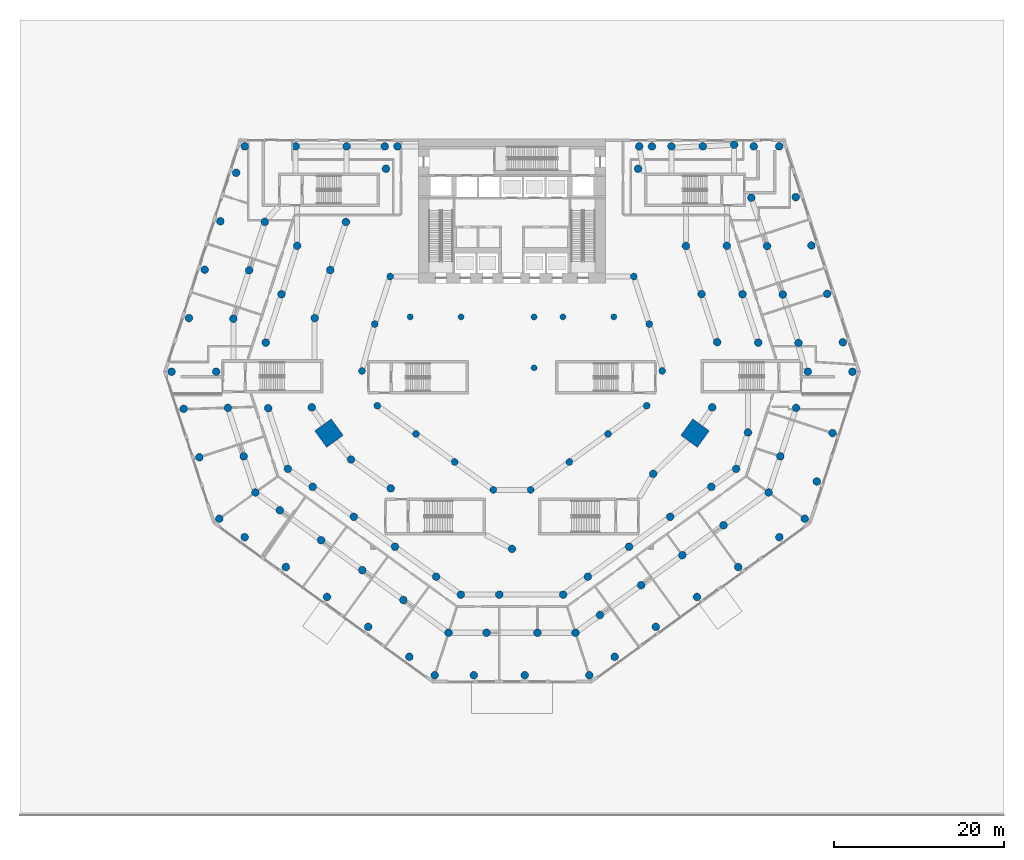
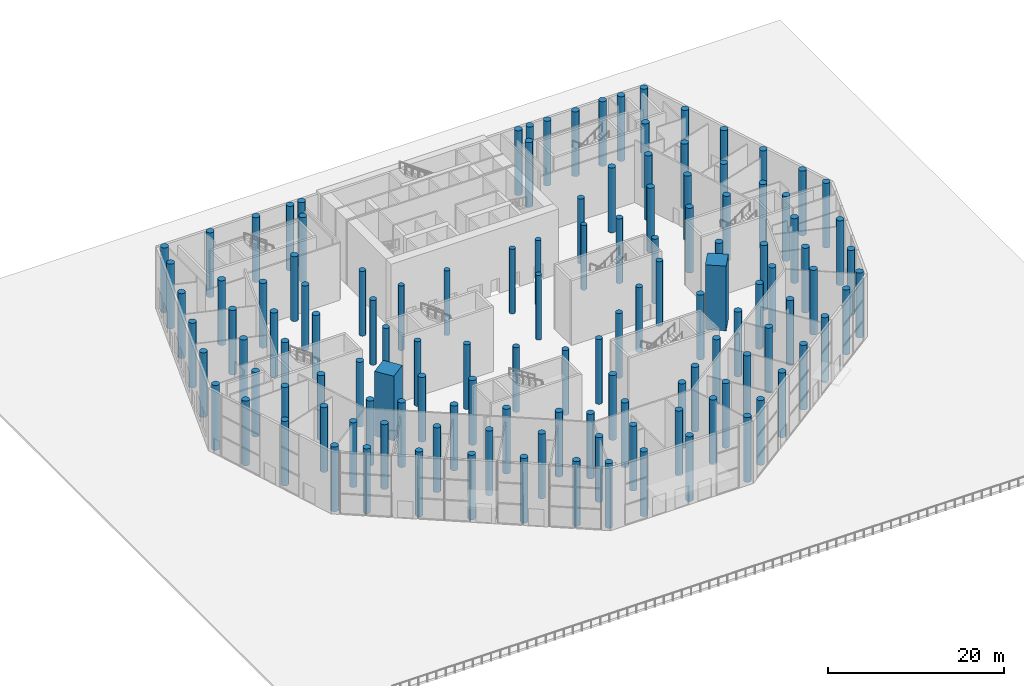
# One storey, part 1 of 25: 126 columns.
"""IFC4 building model written with IfcOpenShell, lengths in metres."""

import ifcopenshell
import ifcopenshell.guid

model = None  # the IFC model being written
_history = None  # IfcOwnerHistory: only IFC2X3 demands one
_inside = {}  # id of a spatial element -> (the spatial element, [elements in it])
_under = {}  # id of a project, library or spatial element -> (it, [spatial elements below it])
_declared = {}  # id of a project -> (the project, [libraries it declares])
_typed = {}  # id of a type object -> (the type object, [elements of that type])
_made_of = {}  # id of a material, layer set ... -> (it, [elements and type objects made of it])


def new_model(schema):
    """Start an empty IFC model of exactly this schema.

    Asked for "IFC4X3", IfcOpenShell would pick the latest addendum, in which some entities
    have other attributes; the version numbers below select the first issue.
    IFC2X3 requires an IfcOwnerHistory on every rooted entity: one is made here for all.
    """
    global model, _history
    if schema == "IFC4X3":
        model = ifcopenshell.file(schema_version=(4, 3, 0, 0))
    else:
        model = ifcopenshell.file(schema=schema)
    _inside.clear()
    _under.clear()
    _declared.clear()
    _typed.clear()
    _made_of.clear()
    _history = None
    if model.schema == "IFC2X3":
        org = make("IfcOrganization", Name="unknown")
        user = make(
            "IfcPersonAndOrganization",
            ThePerson=make("IfcPerson", FamilyName="unknown"),
            TheOrganization=org,
        )
        app = make(
            "IfcApplication",
            ApplicationDeveloper=org,
            Version="unknown",
            ApplicationFullName="unknown",
            ApplicationIdentifier="unknown",
        )
        _history = make(
            "IfcOwnerHistory",
            OwningUser=user,
            OwningApplication=app,
            ChangeAction="ADDED",
            CreationDate=0,
        )
    return model


def make(cls, **values):
    """One entity of the class cls with the attributes given. An attribute that is None is left unset."""
    return model.create_entity(
        cls, **{name: value for name, value in values.items() if value is not None}
    )


def rooted(cls, **values):
    """An entity with a GlobalId (a new one), such as an element, a storey or a relation."""
    return make(cls, GlobalId=ifcopenshell.guid.new(), OwnerHistory=_history, **values)


def si_unit(unit_type, name, prefix=None):
    """IfcSIUnit, for example si_unit("LENGTHUNIT", "METRE", prefix="MILLI")."""
    return make("IfcSIUnit", UnitType=unit_type, Prefix=prefix, Name=name)


def assignment(units):
    """IfcUnitAssignment: the units of a project."""
    return None if units is None else make("IfcUnitAssignment", Units=units)


def point(xyz):
    """IfcCartesianPoint."""
    return None if xyz is None else make("IfcCartesianPoint", Coordinates=xyz)


def direction(xyz):
    """IfcDirection."""
    return None if xyz is None else make("IfcDirection", DirectionRatios=xyz)


def frame(location, z_axis=None, x_axis=None):
    """IfcAxis2Placement3D, a coordinate frame: its origin and axes. An axis left out is left unset."""
    return make(
        "IfcAxis2Placement3D",
        Location=point(location),
        Axis=direction(z_axis),
        RefDirection=direction(x_axis),
    )


def frame_2d(location, x_axis=None):
    """IfcAxis2Placement2D, a coordinate frame in the plane: its origin and x axis."""
    return make(
        "IfcAxis2Placement2D", Location=point(location), RefDirection=direction(x_axis)
    )


def origin():
    """The frame at (0, 0, 0) with its axes left unset."""
    return frame((0.0, 0.0, 0.0))


def origin_2d():
    """The frame at (0, 0) in the plane with its x axis left unset."""
    return frame_2d((0.0, 0.0))


def place(relative_to, where):
    """IfcLocalPlacement: puts the frame where relative to a parent placement (None: the world)."""
    return make(
        "IfcLocalPlacement", PlacementRelTo=relative_to, RelativePlacement=where
    )


def context(
    kind, dimensions, precision=None, world=None, true_north=None, identifier=None
):
    """IfcGeometricRepresentationContext, for example the 3D "Model" context."""
    return make(
        "IfcGeometricRepresentationContext",
        ContextIdentifier=identifier,
        ContextType=kind,
        CoordinateSpaceDimension=dimensions,
        Precision=precision,
        WorldCoordinateSystem=world,
        TrueNorth=true_north,
    )


def subcontext(parent, identifier, kind, view, scale=None):
    """IfcGeometricRepresentationSubContext, for example "Body" below "Model"."""
    return make(
        "IfcGeometricRepresentationSubContext",
        ContextIdentifier=identifier,
        ContextType=kind,
        ParentContext=parent,
        TargetScale=scale,
        TargetView=view,
    )


def project(units=None, contexts=None):
    """IfcProject with its units and contexts."""
    return rooted(
        "IfcProject",
        Name="project",
        RepresentationContexts=contexts,
        UnitsInContext=assignment(units),
    )


def spatial(cls, under=None, at=None, **own):
    """A site, building, storey or space (cls), placed at a placement, below another one or the project."""
    s = rooted(cls, ObjectPlacement=at, **own)
    if under is not None:
        _under.setdefault(under.id(), (under, []))[1].append(s)
    return s


def profile(cls, at=None, kind="AREA", **sizes):
    """A parametric profile (cls). Its sizes go by their IFC names, for example OverallWidth=200.0."""
    return make(cls, ProfileType=kind, Position=at, **sizes)


def rectangle(**sizes):
    """IfcRectangleProfileDef."""
    return profile("IfcRectangleProfileDef", **sizes)


def circle(**sizes):
    """IfcCircleProfileDef."""
    return profile("IfcCircleProfileDef", **sizes)


def extrude(swept, where, along, depth):
    """IfcExtrudedAreaSolid: the profile swept, set in the frame where, extruded along a direction by depth."""
    return make(
        "IfcExtrudedAreaSolid",
        SweptArea=swept,
        Position=where,
        ExtrudedDirection=direction(along),
        Depth=depth,
    )


def shape(context_of_items, identifier, shape_type, items):
    """IfcShapeRepresentation: the items that make up one representation, for example the "Body"."""
    return make(
        "IfcShapeRepresentation",
        ContextOfItems=context_of_items,
        RepresentationIdentifier=identifier,
        RepresentationType=shape_type,
        Items=items,
    )


def material(Name=None, Category=None):
    """IfcMaterial."""
    return make("IfcMaterial", Name=Name, Category=Category)


def material_profile(
    of_material, cross_section, Name=None, Category=None, Priority=None
):
    """IfcMaterialProfile: a cross section and its material."""
    return make(
        "IfcMaterialProfile",
        Name=Name,
        Material=of_material,
        Profile=cross_section,
        Priority=Priority,
        Category=Category,
    )


def profile_set(profiles, Name=None, composite=None):
    """IfcMaterialProfileSet."""
    return make(
        "IfcMaterialProfileSet",
        Name=Name,
        MaterialProfiles=profiles,
        CompositeProfile=composite,
    )


def made_of(thing, what):
    """Note that an element or type object is made of a material, layer set ...; save() writes the relation."""
    if what is not None:
        _made_of.setdefault(what.id(), (what, []))[1].append(thing)
    return thing


def type_object(cls, material=None, **own):
    """A type object (cls), such as IfcWallType, which elements share."""
    return made_of(rooted(cls, **own), material)


def element(
    cls,
    number,
    at=None,
    inside=None,
    cuts=None,
    type_object=None,
    material=None,
    context=None,
    identifier="Body",
    shape_type=None,
    held_by="IfcProductDefinitionShape",
    body=None,
    shapes=None,
    **own,
):
    """One element of the class cls, such as IfcWall. Its Tag is "e" and its number.

    at: its placement. inside: the storey or other place that contains it. cuts: it is an
    opening in that element (IfcRelVoidsElement). A single representation is given by context,
    identifier, shape_type and body (its items); several are given by shapes. held_by: the class
    of the entity that holds the representations. save() writes the other relations.
    """
    e = rooted(cls, Tag="e%d" % number, ObjectPlacement=at, **own)
    if body is not None:
        shapes = [shape(context, identifier, shape_type, body)]
    if shapes is not None:
        e.Representation = make(held_by, Representations=shapes)
    if inside is not None:
        _inside.setdefault(inside.id(), (inside, []))[1].append(e)
    if cuts is not None:
        rooted(
            "IfcRelVoidsElement", RelatingBuildingElement=cuts, RelatedOpeningElement=e
        )
    if type_object is not None:
        _typed.setdefault(type_object.id(), (type_object, []))[1].append(e)
    return made_of(e, material)


def aggregate(whole, parts):
    """IfcRelAggregates: a whole, such as a stair, and the parts it consists of."""
    return rooted("IfcRelAggregates", RelatingObject=whole, RelatedObjects=parts)


def save(model, path):
    """Write the relations noted so far, then the file.

    IfcRelAggregates (storeys below a building ...), IfcRelContainedInSpatialStructure (elements
    in a storey), IfcRelDefinesByType, IfcRelAssociatesMaterial and IfcRelDeclares: one each for
    every whole, place, type object, material and project.
    """
    for whole, parts in _under.values():
        aggregate(whole, parts)
    for where, things in _inside.values():
        rooted(
            "IfcRelContainedInSpatialStructure",
            RelatedElements=things,
            RelatingStructure=where,
        )
    for kind, things in _typed.values():
        rooted("IfcRelDefinesByType", RelatedObjects=things, RelatingType=kind)
    for what, things in _made_of.values():
        rooted("IfcRelAssociatesMaterial", RelatedObjects=things, RelatingMaterial=what)
    for by, libraries in _declared.values():
        rooted("IfcRelDeclares", RelatingContext=by, RelatedDefinitions=libraries)
    model.write(path)


model = new_model("IFC4")

# Units and contexts
model_context = context("Model", 3, precision=1e-05, world=origin(), true_north=direction((0.0, 1.0)))
body_context = subcontext(model_context, "Body", "Model", "MODEL_VIEW")
ifc_project = project(units=[si_unit("LENGTHUNIT", "METRE"), si_unit("AREAUNIT", "SQUARE_METRE"), si_unit("VOLUMEUNIT", "CUBIC_METRE"), si_unit("PLANEANGLEUNIT", "RADIAN"), si_unit("MASSUNIT", "GRAM", prefix="KILO")], contexts=[model_context])

# Site, building, storey
site_placement = place(None, origin())
site = spatial("IfcSite", under=ifc_project, at=site_placement, CompositionType="ELEMENT")
building_placement = place(site_placement, origin())
building = spatial("IfcBuilding", under=site, at=building_placement, Name="White Candle Pilgrim Tower", CompositionType="ELEMENT")
storey_placement = place(building_placement, origin())
storey = spatial("IfcBuildingStorey", under=building, at=storey_placement, Name="L00", CompositionType="ELEMENT", Elevation=0.0)

# Columns
ifc_material = material(Name="Concrete C80/95", Category="concrete")
ifc_material_profile_1 = material_profile(ifc_material, circle(Radius=0.35009765625, at=origin_2d()), Name="RC-COL D700")
ifc_profile_set_1 = profile_set([ifc_material_profile_1], Name="Concrete C80/95")
column_type_1 = type_object("IfcColumnType", Name="Interior column RC-COL D700 C80/95", PredefinedType="COLUMN", material=ifc_profile_set_1)
for number, where, z_axis, x_axis, name in (
    (1, (58.0, 67.0, 0.0), (0.0, 0.0, 1.0), (1.0, 0.0, 0.0), "L00 column I01"),
    (2, (64.0, 67.0, 0.0), (0.0, 0.0, 1.0), (1.0, 0.0, 0.0), "L00 column I02"),
    (3, (72.60009765625, 61.0, 0.0), (0.0, 0.0, 1.0), (1.0, 0.0, 0.0), "L00 column I03"),
    (4, (72.60009765625, 67.0, 0.0), (0.0, 0.0, 1.0), (1.0, 0.0, 0.0), "L00 column I04"),
    (5, (76.0, 67.0, 0.0), (0.0, 0.0, 1.0), (1.0, 0.0, 0.0), "L00 column I05"),
    (6, (82.0, 67.0, 0.0), (0.0, 0.0, 1.0), (1.0, 0.0, 0.0), "L00 column I06"),
):
    element("IfcColumn", number, at=place(storey_placement, frame(where, z_axis=z_axis, x_axis=x_axis)), inside=storey, type_object=column_type_1, Name=name, PredefinedType="COLUMN", context=body_context, shape_type="SweptSolid", body=[
        extrude(circle(Radius=0.35009765625, at=origin_2d()), origin(), (0.0, 0.0, 1.0), 9.0),
    ])
ifc_material_profile_2 = material_profile(ifc_material, rectangle(XDim=2.39990234375, YDim=2.39990234375, at=origin_2d()), Name="RC 2400x2400")
ifc_profile_set_2 = profile_set([ifc_material_profile_2], Name="Concrete C80/95")
column_type_2 = type_object("IfcColumnType", Name="Mega column RC 2400x2400 C80/95", PredefinedType="COLUMN", material=ifc_profile_set_2)
for number, where, z_axis, x_axis, name in (
    (7, (48.419921875, 53.300048828125, 0.0), (0.0, 0.0, 1.0), (-0.809016994375, -0.587785252292, 0.0), "L00 mega column T02"),
    (8, (91.580078125, 53.300048828125, 0.0), (0.0, 0.0, 1.0), (0.809016994375, -0.587785252292, 0.0), "L00 mega column T07"),
):
    element("IfcColumn", number, at=place(storey_placement, frame(where, z_axis=z_axis, x_axis=x_axis)), inside=storey, type_object=column_type_2, Name=name, PredefinedType="COLUMN", context=body_context, shape_type="SweptSolid", body=[
        extrude(rectangle(XDim=2.39990234375, YDim=2.39990234375, at=origin_2d()), origin(), (0.0, 0.0, 1.0), 9.0),
    ])
ifc_material_profile_3 = material_profile(ifc_material, circle(Radius=0.449951171875, at=origin_2d()), Name="RC-COL D900")
ifc_profile_set_3 = profile_set([ifc_material_profile_3], Name="Concrete C80/95")
column_type_3 = type_object("IfcColumnType", Name="Perimeter column RC-COL D900 C80/95", PredefinedType="COLUMN", material=ifc_profile_set_3)
for number, where, z_axis, x_axis, name in (
    (9, (46.389892578125, 56.330078125, 0.0), (0.0, 0.0, 1.0), (1.0, 0.0, 0.0), "L00 column T01"),
    (10, (51.02001953125, 50.18994140625, 0.0), (0.0, 0.0, 1.0), (1.0, 0.0, 0.0), "L00 column T03"),
    (11, (55.699951171875, 46.780029296875, 0.0), (0.0, 0.0, 1.0), (1.0, 0.0, 0.0), "L00 column T04"),
    (12, (70.0, 39.64990234375, 0.0), (0.0, 0.0, 1.0), (1.0, 0.0, 0.0), "L00 column T05"),
    (13, (86.639892578125, 48.489990234375, 0.0), (0.0, 0.0, 1.0), (1.0, 0.0, 0.0), "L00 column T06"),
    (14, (93.610107421875, 56.330078125, 0.0), (0.0, 0.0, 1.0), (1.0, 0.0, 0.0), "L00 column T08"),
    (15, (94.179931640625, 64.02001953125, 0.0), (0.0, 0.0, 1.0), (1.0, 0.0, 0.0), "L00 column T09"),
    (16, (92.340087890625, 69.68994140625, 0.0), (0.0, 0.0, 1.0), (1.0, 0.0, 0.0), "L00 column T10"),
    (17, (90.5, 75.360107421875, 0.0), (0.0, 0.0, 1.0), (1.0, 0.0, 0.0), "L00 column T11"),
    (18, (84.860107421875, 84.4599609375, 0.0), (0.0, 0.0, 1.0), (1.0, 0.0, 0.0), "L00 column T12"),
    (19, (55.139892578125, 84.4599609375, 0.0), (0.0, 0.0, 1.0), (1.0, 0.0, 0.0), "L00 column T13"),
    (20, (50.429931640625, 78.199951171875, 0.0), (0.0, 0.0, 1.0), (1.0, 0.0, 0.0), "L00 column T14"),
    (21, (48.580078125, 72.530029296875, 0.0), (0.0, 0.0, 1.0), (1.0, 0.0, 0.0), "L00 column T15"),
    (22, (46.739990234375, 66.860107421875, 0.0), (0.0, 0.0, 1.0), (1.0, 0.0, 0.0), "L00 column T16"),
    (23, (29.865966796875, 60.5390625, 0.0), (0.0, 0.0, 1.0), (1.0, 0.0, 0.0), "L00 column A01"),
    (24, (31.291015625, 56.154052734375, 0.0), (0.0, 0.0, 1.0), (1.0, 0.0, 0.0), "L00 column A02"),
    (25, (33.14501953125, 50.447998046875, 0.0), (0.0, 0.0, 1.0), (1.0, 0.0, 0.0), "L00 column A03"),
    (26, (35.4970703125, 43.2099609375, 0.0), (0.0, 0.0, 1.0), (1.0, 0.0, 0.0), "L00 column A04"),
    (27, (38.485107421875, 41.0390625, 0.0), (0.0, 0.0, 1.0), (1.0, 0.0, 0.0), "L00 column A05"),
    (28, (43.339111328125, 37.511962890625, 0.0), (0.0, 0.0, 1.0), (1.0, 0.0, 0.0), "L00 column A06"),
    (29, (48.193115234375, 33.985107421875, 0.0), (0.0, 0.0, 1.0), (1.0, 0.0, 0.0), "L00 column A07"),
    (30, (53.047119140625, 30.458984375, 0.0), (0.0, 0.0, 1.0), (1.0, 0.0, 0.0), "L00 column A08"),
    (31, (57.90087890625, 26.931884765625, 0.0), (0.0, 0.0, 1.0), (1.0, 0.0, 0.0), "L00 column A09"),
    (32, (60.888916015625, 24.760986328125, 0.0), (0.0, 0.0, 1.0), (1.0, 0.0, 0.0), "L00 column A10"),
    (33, (65.5, 24.760986328125, 0.0), (0.0, 0.0, 1.0), (1.0, 0.0, 0.0), "L00 column A11"),
    (34, (71.5, 24.760986328125, 0.0), (0.0, 0.0, 1.0), (1.0, 0.0, 0.0), "L00 column A12"),
    (35, (79.111083984375, 24.760986328125, 0.0), (0.0, 0.0, 1.0), (1.0, 0.0, 0.0), "L00 column A13"),
    (36, (82.09912109375, 26.931884765625, 0.0), (0.0, 0.0, 1.0), (1.0, 0.0, 0.0), "L00 column A14"),
    (37, (86.952880859375, 30.458984375, 0.0), (0.0, 0.0, 1.0), (1.0, 0.0, 0.0), "L00 column A15"),
    (38, (91.806884765625, 33.985107421875, 0.0), (0.0, 0.0, 1.0), (1.0, 0.0, 0.0), "L00 column A16"),
    (39, (96.660888671875, 37.511962890625, 0.0), (0.0, 0.0, 1.0), (1.0, 0.0, 0.0), "L00 column A17"),
    (40, (101.514892578125, 41.0390625, 0.0), (0.0, 0.0, 1.0), (1.0, 0.0, 0.0), "L00 column A18"),
    (41, (104.5029296875, 43.2099609375, 0.0), (0.0, 0.0, 1.0), (1.0, 0.0, 0.0), "L00 column A19"),
    (42, (105.927978515625, 47.594970703125, 0.0), (0.0, 0.0, 1.0), (1.0, 0.0, 0.0), "L00 column A20"),
    (43, (107.781982421875, 53.301025390625, 0.0), (0.0, 0.0, 1.0), (1.0, 0.0, 0.0), "L00 column A21"),
    (44, (110.134033203125, 60.5390625, 0.0), (0.0, 0.0, 1.0), (1.0, 0.0, 0.0), "L00 column A22"),
    (45, (109.008056640625, 64.0048828125, 0.0), (0.0, 0.0, 1.0), (1.0, 0.0, 0.0), "L00 column A23"),
    (46, (107.153076171875, 69.7119140625, 0.0), (0.0, 0.0, 1.0), (1.0, 0.0, 0.0), "L00 column A24"),
    (47, (105.299072265625, 75.41796875, 0.0), (0.0, 0.0, 1.0), (1.0, 0.0, 0.0), "L00 column A25"),
    (48, (103.445068359375, 81.1240234375, 0.0), (0.0, 0.0, 1.0), (1.0, 0.0, 0.0), "L00 column A26"),
    (49, (101.50390625, 87.10009765625, 0.0), (0.0, 0.0, 1.0), (1.0, 0.0, 0.0), "L00 column A27"),
    (50, (98.5, 87.10009765625, 0.0), (0.0, 0.0, 1.0), (1.0, 0.0, 0.0), "L00 column A28"),
    (51, (92.5, 87.10009765625, 0.0), (0.0, 0.0, 1.0), (1.0, 0.0, 0.0), "L00 column A29"),
    (52, (86.5, 87.10009765625, 0.0), (0.0, 0.0, 1.0), (1.0, 0.0, 0.0), "L00 column A30"),
    (53, (56.5, 87.10009765625, 0.0), (0.0, 0.0, 1.0), (1.0, 0.0, 0.0), "L00 column A31"),
    (54, (50.5, 87.10009765625, 0.0), (0.0, 0.0, 1.0), (1.0, 0.0, 0.0), "L00 column A32"),
    (55, (44.5, 87.10009765625, 0.0), (0.0, 0.0, 1.0), (1.0, 0.0, 0.0), "L00 column A33"),
    (56, (38.49609375, 87.10009765625, 0.0), (0.0, 0.0, 1.0), (1.0, 0.0, 0.0), "L00 column A34"),
    (57, (37.48193359375, 83.97802734375, 0.0), (0.0, 0.0, 1.0), (1.0, 0.0, 0.0), "L00 column A35"),
    (58, (35.6279296875, 78.27099609375, 0.0), (0.0, 0.0, 1.0), (1.0, 0.0, 0.0), "L00 column A36"),
    (59, (33.77392578125, 72.56494140625, 0.0), (0.0, 0.0, 1.0), (1.0, 0.0, 0.0), "L00 column A37"),
    (60, (31.919921875, 66.85888671875, 0.0), (0.0, 0.0, 1.0), (1.0, 0.0, 0.0), "L00 column A38"),
    (61, (35.1240234375, 60.5390625, 0.0), (0.0, 0.0, 1.0), (1.0, 0.0, 0.0), "L00 column B01"),
    (62, (36.510009765625, 56.27294921875, 0.0), (0.0, 0.0, 1.0), (1.0, 0.0, 0.0), "L00 column B02"),
    (63, (38.364013671875, 50.56591796875, 0.0), (0.0, 0.0, 1.0), (1.0, 0.0, 0.0), "L00 column B03"),
    (64, (39.75, 46.300048828125, 0.0), (0.0, 0.0, 1.0), (1.0, 0.0, 0.0), "L00 column B04"),
    (65, (42.636962890625, 44.201904296875, 0.0), (0.0, 0.0, 1.0), (1.0, 0.0, 0.0), "L00 column B05"),
    (66, (47.491943359375, 40.676025390625, 0.0), (0.0, 0.0, 1.0), (1.0, 0.0, 0.0), "L00 column B06"),
    (67, (52.345947265625, 37.14892578125, 0.0), (0.0, 0.0, 1.0), (1.0, 0.0, 0.0), "L00 column B07"),
    (68, (57.199951171875, 33.6220703125, 0.0), (0.0, 0.0, 1.0), (1.0, 0.0, 0.0), "L00 column B08"),
    (69, (62.513916015625, 29.760986328125, 0.0), (0.0, 0.0, 1.0), (1.0, 0.0, 0.0), "L00 column B09"),
    (70, (67.0, 29.760986328125, 0.0), (0.0, 0.0, 1.0), (1.0, 0.0, 0.0), "L00 column B10"),
    (71, (73.0, 29.760986328125, 0.0), (0.0, 0.0, 1.0), (1.0, 0.0, 0.0), "L00 column B11"),
    (72, (77.486083984375, 29.760986328125, 0.0), (0.0, 0.0, 1.0), (1.0, 0.0, 0.0), "L00 column B12"),
    (73, (80.373046875, 31.85888671875, 0.0), (0.0, 0.0, 1.0), (1.0, 0.0, 0.0), "L00 column B13"),
    (74, (85.22705078125, 35.385986328125, 0.0), (0.0, 0.0, 1.0), (1.0, 0.0, 0.0), "L00 column B14"),
    (75, (90.0810546875, 38.912109375, 0.0), (0.0, 0.0, 1.0), (1.0, 0.0, 0.0), "L00 column B15"),
    (76, (94.93603515625, 42.43896484375, 0.0), (0.0, 0.0, 1.0), (1.0, 0.0, 0.0), "L00 column B16"),
    (77, (100.25, 46.300048828125, 0.0), (0.0, 0.0, 1.0), (1.0, 0.0, 0.0), "L00 column B17"),
    (78, (101.635986328125, 50.56591796875, 0.0), (0.0, 0.0, 1.0), (1.0, 0.0, 0.0), "L00 column B18"),
    (79, (103.489990234375, 56.27294921875, 0.0), (0.0, 0.0, 1.0), (1.0, 0.0, 0.0), "L00 column B19"),
    (80, (104.8759765625, 60.5390625, 0.0), (0.0, 0.0, 1.0), (1.0, 0.0, 0.0), "L00 column B20"),
    (81, (103.77392578125, 63.93310546875, 0.0), (0.0, 0.0, 1.0), (1.0, 0.0, 0.0), "L00 column B21"),
    (82, (101.9189453125, 69.639892578125, 0.0), (0.0, 0.0, 1.0), (1.0, 0.0, 0.0), "L00 column B22"),
    (83, (100.06494140625, 75.345947265625, 0.0), (0.0, 0.0, 1.0), (1.0, 0.0, 0.0), "L00 column B23"),
    (84, (98.2109375, 81.052001953125, 0.0), (0.0, 0.0, 1.0), (1.0, 0.0, 0.0), "L00 column B24"),
    (85, (96.180908203125, 87.300048828125, 0.0), (0.0, 0.0, 1.0), (1.0, 0.0, 0.0), "L00 column B25"),
    (86, (40.862060546875, 78.198974609375, 0.0), (0.0, 0.0, 1.0), (1.0, 0.0, 0.0), "L00 column B33"),
    (87, (39.008056640625, 72.492919921875, 0.0), (0.0, 0.0, 1.0), (1.0, 0.0, 0.0), "L00 column B34"),
    (88, (37.153076171875, 66.787109375, 0.0), (0.0, 0.0, 1.0), (1.0, 0.0, 0.0), "L00 column B35"),
    (89, (41.2529296875, 56.237060546875, 0.0), (0.0, 0.0, 1.0), (1.0, 0.0, 0.0), "L00 column C01"),
    (90, (43.577880859375, 49.0810546875, 0.0), (0.0, 0.0, 1.0), (1.0, 0.0, 0.0), "L00 column C02"),
    (91, (46.49609375, 46.9609375, 0.0), (0.0, 0.0, 1.0), (1.0, 0.0, 0.0), "L00 column C03"),
    (92, (51.35009765625, 43.43408203125, 0.0), (0.0, 0.0, 1.0), (1.0, 0.0, 0.0), "L00 column C04"),
    (93, (56.2041015625, 39.907958984375, 0.0), (0.0, 0.0, 1.0), (1.0, 0.0, 0.0), "L00 column C05"),
    (94, (61.05810546875, 36.381103515625, 0.0), (0.0, 0.0, 1.0), (1.0, 0.0, 0.0), "L00 column C06"),
    (95, (63.97607421875, 34.260986328125, 0.0), (0.0, 0.0, 1.0), (1.0, 0.0, 0.0), "L00 column C07"),
    (96, (68.5, 34.260986328125, 0.0), (0.0, 0.0, 1.0), (1.0, 0.0, 0.0), "L00 column C08"),
    (97, (76.02392578125, 34.260986328125, 0.0), (0.0, 0.0, 1.0), (1.0, 0.0, 0.0), "L00 column C09"),
    (98, (78.94189453125, 36.381103515625, 0.0), (0.0, 0.0, 1.0), (1.0, 0.0, 0.0), "L00 column C10"),
    (99, (83.7958984375, 39.907958984375, 0.0), (0.0, 0.0, 1.0), (1.0, 0.0, 0.0), "L00 column C11"),
    (100, (88.64990234375, 43.43408203125, 0.0), (0.0, 0.0, 1.0), (1.0, 0.0, 0.0), "L00 column C12"),
    (101, (93.50390625, 46.9609375, 0.0), (0.0, 0.0, 1.0), (1.0, 0.0, 0.0), "L00 column C13"),
    (102, (96.422119140625, 49.0810546875, 0.0), (0.0, 0.0, 1.0), (1.0, 0.0, 0.0), "L00 column C14"),
    (103, (97.820068359375, 53.384033203125, 0.0), (0.0, 0.0, 1.0), (1.0, 0.0, 0.0), "L00 column C15"),
    (104, (99.030029296875, 63.968994140625, 0.0), (0.0, 0.0, 1.0), (1.0, 0.0, 0.0), "L00 column C16"),
    (105, (97.176025390625, 69.676025390625, 0.0), (0.0, 0.0, 1.0), (1.0, 0.0, 0.0), "L00 column C17"),
    (106, (95.322021484375, 75.382080078125, 0.0), (0.0, 0.0, 1.0), (1.0, 0.0, 0.0), "L00 column C18"),
    (107, (88.800048828125, 87.10009765625, 0.0), (0.0, 0.0, 1.0), (1.0, 0.0, 0.0), "L00 column C19"),
    (108, (85.0, 87.10009765625, 0.0), (0.0, 0.0, 1.0), (1.0, 0.0, 0.0), "L00 column C20"),
    (109, (55.0, 87.10009765625, 0.0), (0.0, 0.0, 1.0), (1.0, 0.0, 0.0), "L00 column C21"),
    (110, (44.677978515625, 75.382080078125, 0.0), (0.0, 0.0, 1.0), (1.0, 0.0, 0.0), "L00 column C23"),
    (111, (42.823974609375, 69.676025390625, 0.0), (0.0, 0.0, 1.0), (1.0, 0.0, 0.0), "L00 column C24"),
    (112, (40.969970703125, 63.968994140625, 0.0), (0.0, 0.0, 1.0), (1.0, 0.0, 0.0), "L00 column C25"),
):
    element("IfcColumn", number, at=place(storey_placement, frame(where, z_axis=z_axis, x_axis=x_axis)), inside=storey, type_object=column_type_3, Name=name, PredefinedType="COLUMN", context=body_context, shape_type="SweptSolid", body=[
        extrude(circle(Radius=0.449951171875, at=origin_2d()), origin(), (0.0, 0.0, 1.0), 9.0),
    ])
ifc_material_profile_4 = material_profile(ifc_material, circle(Radius=0.39990234375, at=origin_2d()), Name="RC-COL D800")
ifc_profile_set_4 = profile_set([ifc_material_profile_4], Name="Concrete C80/95")
column_type_4 = type_object("IfcColumnType", Name="Ring column RC-COL D800 C80/95", PredefinedType="COLUMN", material=ifc_profile_set_4)
for number, where, z_axis, x_axis, name in (
    (113, (52.31005859375, 60.6298828125, 0.0), (0.0, 0.0, 1.0), (1.0, 0.0, 0.0), "L00 column R01"),
    (114, (54.1201171875, 56.530029296875, 0.0), (0.0, 0.0, 1.0), (1.0, 0.0, 0.0), "L00 column R02"),
    (115, (58.679931640625, 53.2099609375, 0.0), (0.0, 0.0, 1.0), (1.0, 0.0, 0.0), "L00 column R03"),
    (116, (63.239990234375, 49.89990234375, 0.0), (0.0, 0.0, 1.0), (1.0, 0.0, 0.0), "L00 column R04"),
    (117, (67.800048828125, 46.60009765625, 0.0), (0.0, 0.0, 1.0), (1.0, 0.0, 0.0), "L00 column R05"),
    (118, (72.199951171875, 46.60009765625, 0.0), (0.0, 0.0, 1.0), (1.0, 0.0, 0.0), "L00 column R06"),
    (119, (76.760009765625, 49.89990234375, 0.0), (0.0, 0.0, 1.0), (1.0, 0.0, 0.0), "L00 column R07"),
    (120, (81.320068359375, 53.2099609375, 0.0), (0.0, 0.0, 1.0), (1.0, 0.0, 0.0), "L00 column R08"),
    (121, (85.8798828125, 56.530029296875, 0.0), (0.0, 0.0, 1.0), (1.0, 0.0, 0.0), "L00 column R09"),
    (122, (87.699951171875, 60.6298828125, 0.0), (0.0, 0.0, 1.0), (1.0, 0.0, 0.0), "L00 column R10"),
    (123, (86.179931640625, 66.159912109375, 0.0), (0.0, 0.0, 1.0), (1.0, 0.0, 0.0), "L00 column R11"),
    (124, (84.360107421875, 71.760009765625, 0.0), (0.0, 0.0, 1.0), (1.0, 0.0, 0.0), "L00 column R12"),
    (125, (55.639892578125, 71.760009765625, 0.0), (0.0, 0.0, 1.0), (1.0, 0.0, 0.0), "L00 column R13"),
    (126, (53.820068359375, 66.159912109375, 0.0), (0.0, 0.0, 1.0), (1.0, 0.0, 0.0), "L00 column R14"),
):
    element("IfcColumn", number, at=place(storey_placement, frame(where, z_axis=z_axis, x_axis=x_axis)), inside=storey, type_object=column_type_4, Name=name, PredefinedType="COLUMN", context=body_context, shape_type="SweptSolid", body=[
        extrude(circle(Radius=0.39990234375, at=origin_2d()), origin(), (0.0, 0.0, 1.0), 9.0),
    ])

save(model, "model.ifc")
